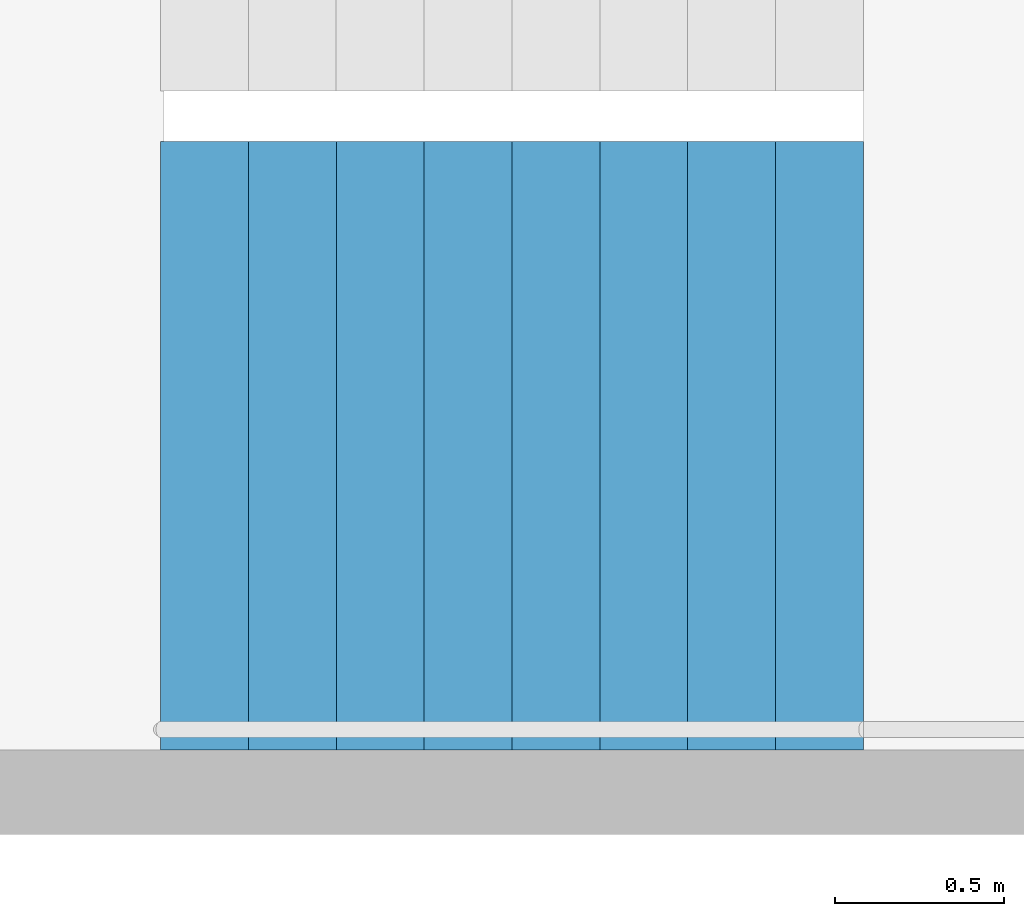
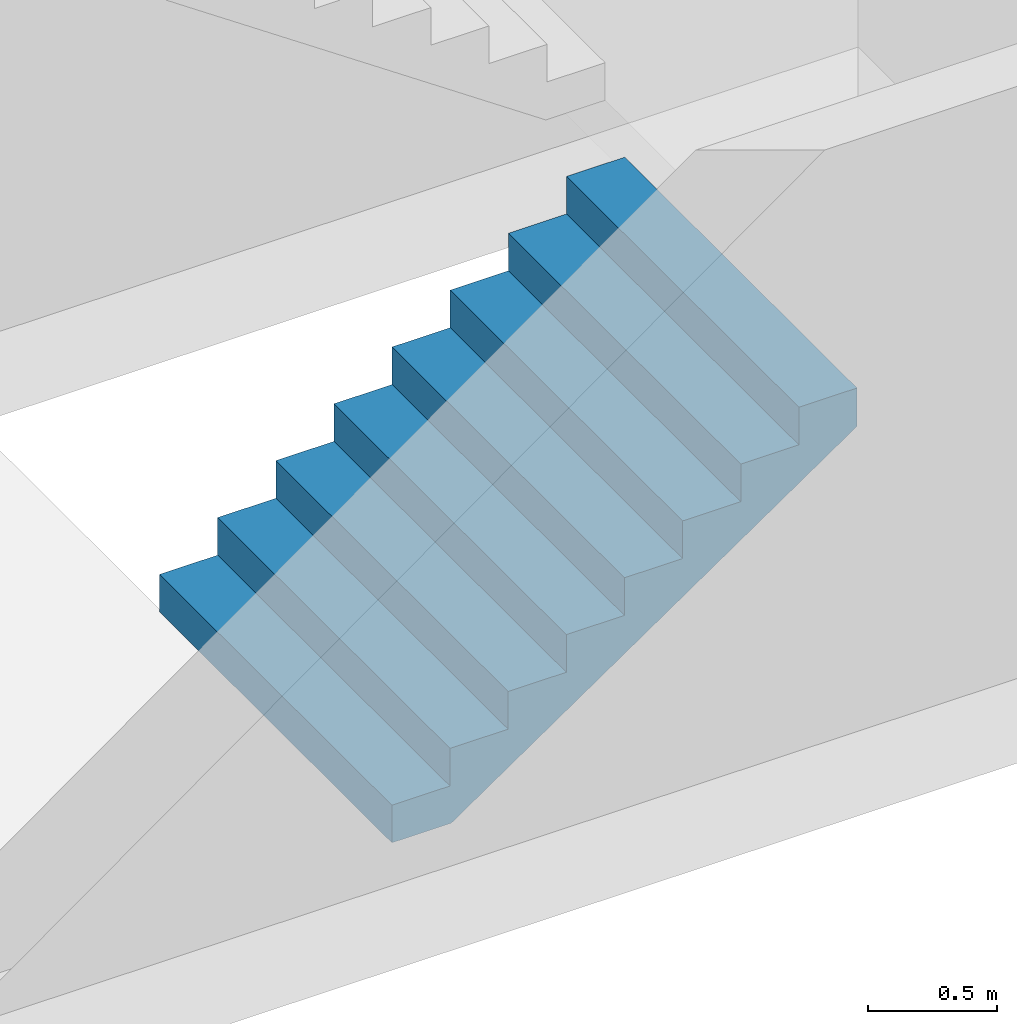
# One storey, part 22 of 28: 1 stair flight, 1 element without a shape of its own.
"""IFC4 building model written with IfcOpenShell, lengths in metres."""

from ifc_helpers import new_model, si_unit, direction, frame, origin, place, context, subcontext, project, spatial, triangles, material, type_object, element, aggregate, save


model = new_model("IFC4")

# Units and contexts
model_context = context("Model", 3, precision=1e-05, world=origin(), true_north=direction((0.0, 1.0)))
body_context = subcontext(model_context, "Body", "Model", "MODEL_VIEW")
ifc_project = project(units=[si_unit("LENGTHUNIT", "METRE"), si_unit("AREAUNIT", "SQUARE_METRE"), si_unit("VOLUMEUNIT", "CUBIC_METRE"), si_unit("PLANEANGLEUNIT", "RADIAN"), si_unit("MASSUNIT", "GRAM", prefix="KILO")], contexts=[model_context])

# Site, building, storey
site_placement = place(None, origin())
site = spatial("IfcSite", under=ifc_project, at=site_placement, CompositionType="ELEMENT")
building_placement = place(site_placement, origin())
building = spatial("IfcBuilding", under=site, at=building_placement, Name="Hakoniwa Tower and Hamabe Station Hall", CompositionType="ELEMENT")
storey_placement = place(building_placement, frame((0.0, 0.0, 32.60009765625)))
storey = spatial("IfcBuildingStorey", under=building, at=storey_placement, Name="L08", CompositionType="ELEMENT", Elevation=32.60009765625)

# Stair, stair flight
ifc_material_1 = material(Name="Concrete C40", Category="concrete")
stair_type = type_object("IfcStairType", Name="ESCAPE STAIR 1800", PredefinedType="HALF_TURN_STAIR", material=ifc_material_1)
stair_placement = place(storey_placement, origin())
stair = element("IfcStair", 1, at=stair_placement, inside=storey, type_object=stair_type, Name="Escape stair ST-1 L08", PredefinedType="HALF_TURN_STAIR")
ifc_material_2 = material(Name="Concrete C40", Category="concrete")
stair_flight_type = type_object("IfcStairFlightType", Name="STAIR FLIGHT 1800", PredefinedType="STRAIGHT", material=ifc_material_2)
stair_flight_placement = place(storey_placement, frame((-24.39990234375, 4.64990234375, 0.0), z_axis=(0.0, 0.0, 1.0), x_axis=(1.0, 0.0, 0.0)))
stair_flight = element("IfcStairFlight", 2, at=stair_flight_placement, type_object=stair_flight_type, Name="ST-1 flight 1", NumberOfRisers=9, NumberOfTreads=8, PredefinedType="STRAIGHT", RiserHeight=0.177777778, TreadLength=0.26, context=body_context, shape_type="Tessellation", body=[
    triangles([(0.0, 0.89990234375, 0.0), (0.260009765625, 0.89990234375, 0.0), (0.265625, 0.89990234375, 0.0), (0.52001953125, 0.89990234375, 0.174072265625), (0.780029296875, 0.89990234375, 0.351806640625), (1.0400390625, 0.89990234375, 0.529541015625), (1.300048828125, 0.89990234375, 0.707275390625), (1.56005859375, 0.89990234375, 0.885009765625), (1.820068359375, 0.89990234375, 1.062744140625), (2.080078125, 0.89990234375, 1.24072265625), (2.080078125, 0.89990234375, 1.422119140625), (1.820068359375, 0.89990234375, 1.422119140625), (1.820068359375, 0.89990234375, 1.244384765625), (1.56005859375, 0.89990234375, 1.244384765625), (1.56005859375, 0.89990234375, 1.066650390625), (1.300048828125, 0.89990234375, 1.066650390625), (1.300048828125, 0.89990234375, 0.888916015625), (1.0400390625, 0.89990234375, 0.888916015625), (1.0400390625, 0.89990234375, 0.711181640625), (0.780029296875, 0.89990234375, 0.711181640625), (0.780029296875, 0.89990234375, 0.533447265625), (0.52001953125, 0.89990234375, 0.533447265625), (0.52001953125, 0.89990234375, 0.35546875), (0.265625, 0.89990234375, 0.35546875), (0.260009765625, 0.89990234375, 0.35546875), (0.260009765625, 0.89990234375, 0.177734375), (0.0, 0.89990234375, 0.177734375), (0.0, 0.06005859375, 0.0), (0.260009765625, 0.06005859375, 0.0), (0.265625, 0.06005859375, 0.0), (0.52001953125, 0.06005859375, 0.174072265625), (0.780029296875, 0.06005859375, 0.351806640625), (1.0400390625, 0.06005859375, 0.529541015625), (1.300048828125, 0.06005859375, 0.707275390625), (1.56005859375, 0.06005859375, 0.885009765625), (1.820068359375, 0.06005859375, 1.062744140625), (2.080078125, 0.06005859375, 1.24072265625), (2.080078125, 0.06005859375, 1.422119140625), (1.820068359375, 0.06005859375, 1.422119140625), (1.820068359375, 0.06005859375, 1.244384765625), (1.56005859375, 0.06005859375, 1.244384765625), (1.56005859375, 0.06005859375, 1.066650390625), (1.300048828125, 0.06005859375, 1.066650390625), (1.300048828125, 0.06005859375, 0.888916015625), (1.0400390625, 0.06005859375, 0.888916015625), (1.0400390625, 0.06005859375, 0.711181640625), (0.780029296875, 0.06005859375, 0.711181640625), (0.780029296875, 0.06005859375, 0.533447265625), (0.52001953125, 0.06005859375, 0.533447265625), (0.52001953125, 0.06005859375, 0.35546875), (0.265625, 0.06005859375, 0.35546875), (0.260009765625, 0.06005859375, 0.35546875), (0.260009765625, 0.06005859375, 0.177734375), (0.0, 0.06005859375, 0.177734375), (0.0, 0.04296875, 0.0), (0.260009765625, 0.04296875, 0.0), (0.265625, 0.04296875, 0.0), (0.52001953125, 0.04296875, 0.174072265625), (0.780029296875, 0.04296875, 0.351806640625), (1.0400390625, 0.04296875, 0.529541015625), (1.300048828125, 0.04296875, 0.707275390625), (1.56005859375, 0.04296875, 0.885009765625), (1.820068359375, 0.04296875, 1.062744140625), (2.080078125, 0.04296875, 1.24072265625), (2.080078125, 0.04296875, 1.422119140625), (1.820068359375, 0.04296875, 1.422119140625), (1.820068359375, 0.04296875, 1.244384765625), (1.56005859375, 0.04296875, 1.244384765625), (1.56005859375, 0.04296875, 1.066650390625), (1.300048828125, 0.04296875, 1.066650390625), (1.300048828125, 0.04296875, 0.888916015625), (1.0400390625, 0.04296875, 0.888916015625), (1.0400390625, 0.04296875, 0.711181640625), (0.780029296875, 0.04296875, 0.711181640625), (0.780029296875, 0.04296875, 0.533447265625), (0.52001953125, 0.04296875, 0.533447265625), (0.52001953125, 0.04296875, 0.35546875), (0.265625, 0.04296875, 0.35546875), (0.260009765625, 0.04296875, 0.35546875), (0.260009765625, 0.04296875, 0.177734375), (0.0, 0.04296875, 0.177734375), (0.0, 0.025634765625, 0.0), (0.260009765625, 0.025634765625, 0.0), (0.265625, 0.025634765625, 0.0), (0.52001953125, 0.025634765625, 0.174072265625), (0.780029296875, 0.025634765625, 0.351806640625), (1.0400390625, 0.025634765625, 0.529541015625), (1.300048828125, 0.025634765625, 0.707275390625), (1.56005859375, 0.025634765625, 0.885009765625), (1.820068359375, 0.025634765625, 1.062744140625), (2.080078125, 0.025634765625, 1.24072265625), (2.080078125, 0.025634765625, 1.422119140625), (1.820068359375, 0.025634765625, 1.422119140625), (1.820068359375, 0.025634765625, 1.244384765625), (1.56005859375, 0.025634765625, 1.244384765625), (1.56005859375, 0.025634765625, 1.066650390625), (1.300048828125, 0.025634765625, 1.066650390625), (1.300048828125, 0.025634765625, 0.888916015625), (1.0400390625, 0.025634765625, 0.888916015625), (1.0400390625, 0.025634765625, 0.711181640625), (0.780029296875, 0.025634765625, 0.711181640625), (0.780029296875, 0.025634765625, 0.533447265625), (0.52001953125, 0.025634765625, 0.533447265625), (0.52001953125, 0.025634765625, 0.35546875), (0.265625, 0.025634765625, 0.35546875), (0.260009765625, 0.025634765625, 0.35546875), (0.260009765625, 0.025634765625, 0.177734375), (0.0, 0.025634765625, 0.177734375), (0.0, 0.008544921875, 0.0), (0.260009765625, 0.008544921875, 0.0), (0.265625, 0.008544921875, 0.0), (0.52001953125, 0.008544921875, 0.174072265625), (0.780029296875, 0.008544921875, 0.351806640625), (1.0400390625, 0.008544921875, 0.529541015625), (1.300048828125, 0.008544921875, 0.707275390625), (1.56005859375, 0.008544921875, 0.885009765625), (1.820068359375, 0.008544921875, 1.062744140625), (2.080078125, 0.008544921875, 1.24072265625), (2.080078125, 0.008544921875, 1.422119140625), (1.820068359375, 0.008544921875, 1.422119140625), (1.820068359375, 0.008544921875, 1.244384765625), (1.56005859375, 0.008544921875, 1.244384765625), (1.56005859375, 0.008544921875, 1.066650390625), (1.300048828125, 0.008544921875, 1.066650390625), (1.300048828125, 0.008544921875, 0.888916015625), (1.0400390625, 0.008544921875, 0.888916015625), (1.0400390625, 0.008544921875, 0.711181640625), (0.780029296875, 0.008544921875, 0.711181640625), (0.780029296875, 0.008544921875, 0.533447265625), (0.52001953125, 0.008544921875, 0.533447265625), (0.52001953125, 0.008544921875, 0.35546875), (0.265625, 0.008544921875, 0.35546875), (0.260009765625, 0.008544921875, 0.35546875), (0.260009765625, 0.008544921875, 0.177734375), (0.0, 0.008544921875, 0.177734375), (0.0, -0.008544921875, 0.0), (0.260009765625, -0.008544921875, 0.0), (0.265625, -0.008544921875, 0.0), (0.52001953125, -0.008544921875, 0.174072265625), (0.780029296875, -0.008544921875, 0.351806640625), (1.0400390625, -0.008544921875, 0.529541015625), (1.300048828125, -0.008544921875, 0.707275390625), (1.56005859375, -0.008544921875, 0.885009765625), (1.820068359375, -0.008544921875, 1.062744140625), (2.080078125, -0.008544921875, 1.24072265625), (2.080078125, -0.008544921875, 1.422119140625), (1.820068359375, -0.008544921875, 1.422119140625), (1.820068359375, -0.008544921875, 1.244384765625), (1.56005859375, -0.008544921875, 1.244384765625), (1.56005859375, -0.008544921875, 1.066650390625), (1.300048828125, -0.008544921875, 1.066650390625), (1.300048828125, -0.008544921875, 0.888916015625), (1.0400390625, -0.008544921875, 0.888916015625), (1.0400390625, -0.008544921875, 0.711181640625), (0.780029296875, -0.008544921875, 0.711181640625), (0.780029296875, -0.008544921875, 0.533447265625), (0.52001953125, -0.008544921875, 0.533447265625), (0.52001953125, -0.008544921875, 0.35546875), (0.265625, -0.008544921875, 0.35546875), (0.260009765625, -0.008544921875, 0.35546875), (0.260009765625, -0.008544921875, 0.177734375), (0.0, -0.008544921875, 0.177734375), (0.0, -0.025634765625, 0.0), (0.260009765625, -0.025634765625, 0.0), (0.265625, -0.025634765625, 0.0), (0.52001953125, -0.025634765625, 0.174072265625), (0.780029296875, -0.025634765625, 0.351806640625), (1.0400390625, -0.025634765625, 0.529541015625), (1.300048828125, -0.025634765625, 0.707275390625), (1.56005859375, -0.025634765625, 0.885009765625), (1.820068359375, -0.025634765625, 1.062744140625), (2.080078125, -0.025634765625, 1.24072265625), (2.080078125, -0.025634765625, 1.422119140625), (1.820068359375, -0.025634765625, 1.422119140625), (1.820068359375, -0.025634765625, 1.244384765625), (1.56005859375, -0.025634765625, 1.244384765625), (1.56005859375, -0.025634765625, 1.066650390625), (1.300048828125, -0.025634765625, 1.066650390625), (1.300048828125, -0.025634765625, 0.888916015625), (1.0400390625, -0.025634765625, 0.888916015625), (1.0400390625, -0.025634765625, 0.711181640625), (0.780029296875, -0.025634765625, 0.711181640625), (0.780029296875, -0.025634765625, 0.533447265625), (0.52001953125, -0.025634765625, 0.533447265625), (0.52001953125, -0.025634765625, 0.35546875), (0.265625, -0.025634765625, 0.35546875), (0.260009765625, -0.025634765625, 0.35546875), (0.260009765625, -0.025634765625, 0.177734375), (0.0, -0.025634765625, 0.177734375), (0.0, -0.04296875, 0.0), (0.260009765625, -0.04296875, 0.0), (0.265625, -0.04296875, 0.0), (0.52001953125, -0.04296875, 0.174072265625), (0.780029296875, -0.04296875, 0.351806640625), (1.0400390625, -0.04296875, 0.529541015625), (1.300048828125, -0.04296875, 0.707275390625), (1.56005859375, -0.04296875, 0.885009765625), (1.820068359375, -0.04296875, 1.062744140625), (2.080078125, -0.04296875, 1.24072265625), (2.080078125, -0.04296875, 1.422119140625), (1.820068359375, -0.04296875, 1.422119140625), (1.820068359375, -0.04296875, 1.244384765625), (1.56005859375, -0.04296875, 1.244384765625), (1.56005859375, -0.04296875, 1.066650390625), (1.300048828125, -0.04296875, 1.066650390625), (1.300048828125, -0.04296875, 0.888916015625), (1.0400390625, -0.04296875, 0.888916015625), (1.0400390625, -0.04296875, 0.711181640625), (0.780029296875, -0.04296875, 0.711181640625), (0.780029296875, -0.04296875, 0.533447265625), (0.52001953125, -0.04296875, 0.533447265625), (0.52001953125, -0.04296875, 0.35546875), (0.265625, -0.04296875, 0.35546875), (0.260009765625, -0.04296875, 0.35546875), (0.260009765625, -0.04296875, 0.177734375), (0.0, -0.04296875, 0.177734375), (0.0, -0.06005859375, 0.0), (0.260009765625, -0.06005859375, 0.0), (0.265625, -0.06005859375, 0.0), (0.52001953125, -0.06005859375, 0.174072265625), (0.780029296875, -0.06005859375, 0.351806640625), (1.0400390625, -0.06005859375, 0.529541015625), (1.300048828125, -0.06005859375, 0.707275390625), (1.56005859375, -0.06005859375, 0.885009765625), (1.820068359375, -0.06005859375, 1.062744140625), (2.080078125, -0.06005859375, 1.24072265625), (2.080078125, -0.06005859375, 1.422119140625), (1.820068359375, -0.06005859375, 1.422119140625), (1.820068359375, -0.06005859375, 1.244384765625), (1.56005859375, -0.06005859375, 1.244384765625), (1.56005859375, -0.06005859375, 1.066650390625), (1.300048828125, -0.06005859375, 1.066650390625), (1.300048828125, -0.06005859375, 0.888916015625), (1.0400390625, -0.06005859375, 0.888916015625), (1.0400390625, -0.06005859375, 0.711181640625), (0.780029296875, -0.06005859375, 0.711181640625), (0.780029296875, -0.06005859375, 0.533447265625), (0.52001953125, -0.06005859375, 0.533447265625), (0.52001953125, -0.06005859375, 0.35546875), (0.265625, -0.06005859375, 0.35546875), (0.260009765625, -0.06005859375, 0.35546875), (0.260009765625, -0.06005859375, 0.177734375), (0.0, -0.06005859375, 0.177734375), (0.0, -0.89990234375, 0.0), (0.260009765625, -0.89990234375, 0.0), (0.265625, -0.89990234375, 0.0), (0.52001953125, -0.89990234375, 0.174072265625), (0.780029296875, -0.89990234375, 0.351806640625), (1.0400390625, -0.89990234375, 0.529541015625), (1.300048828125, -0.89990234375, 0.707275390625), (1.56005859375, -0.89990234375, 0.885009765625), (1.820068359375, -0.89990234375, 1.062744140625), (2.080078125, -0.89990234375, 1.24072265625), (2.080078125, -0.89990234375, 1.422119140625), (1.820068359375, -0.89990234375, 1.422119140625), (1.820068359375, -0.89990234375, 1.244384765625), (1.56005859375, -0.89990234375, 1.244384765625), (1.56005859375, -0.89990234375, 1.066650390625), (1.300048828125, -0.89990234375, 1.066650390625), (1.300048828125, -0.89990234375, 0.888916015625), (1.0400390625, -0.89990234375, 0.888916015625), (1.0400390625, -0.89990234375, 0.711181640625), (0.780029296875, -0.89990234375, 0.711181640625), (0.780029296875, -0.89990234375, 0.533447265625), (0.52001953125, -0.89990234375, 0.533447265625), (0.52001953125, -0.89990234375, 0.35546875), (0.265625, -0.89990234375, 0.35546875), (0.260009765625, -0.89990234375, 0.35546875), (0.260009765625, -0.89990234375, 0.177734375), (0.0, -0.89990234375, 0.177734375)], [[2, 27, 26], [245, 269, 270], [2, 1, 27], [245, 270, 244], [3, 25, 24], [246, 267, 268], [3, 26, 25], [246, 268, 269], [3, 2, 26], [246, 269, 245], [4, 24, 23], [247, 266, 267], [4, 3, 24], [247, 267, 246], [5, 22, 21], [248, 264, 265], [5, 23, 22], [248, 265, 266], [5, 4, 23], [248, 266, 247], [6, 20, 19], [249, 262, 263], [6, 21, 20], [249, 263, 264], [6, 5, 21], [249, 264, 248], [7, 18, 17], [250, 260, 261], [7, 19, 18], [250, 261, 262], [7, 6, 19], [250, 262, 249], [8, 16, 15], [251, 258, 259], [8, 17, 16], [251, 259, 260], [8, 7, 17], [251, 260, 250], [9, 14, 13], [252, 256, 257], [9, 15, 14], [252, 257, 258], [9, 8, 15], [252, 258, 251], [10, 12, 11], [253, 254, 255], [10, 13, 12], [253, 255, 256], [10, 9, 13], [253, 256, 252], [1, 2, 29], [1, 29, 28], [28, 29, 56], [28, 56, 55], [55, 56, 83], [55, 83, 82], [82, 83, 110], [82, 110, 109], [109, 110, 137], [109, 137, 136], [136, 137, 164], [136, 164, 163], [163, 164, 191], [163, 191, 190], [190, 191, 218], [190, 218, 217], [217, 218, 245], [217, 245, 244], [2, 3, 30], [2, 30, 29], [29, 30, 57], [29, 57, 56], [56, 57, 84], [56, 84, 83], [83, 84, 111], [83, 111, 110], [110, 111, 138], [110, 138, 137], [137, 138, 165], [137, 165, 164], [164, 165, 192], [164, 192, 191], [191, 192, 219], [191, 219, 218], [218, 219, 246], [218, 246, 245], [3, 4, 31], [3, 31, 30], [30, 31, 58], [30, 58, 57], [57, 58, 85], [57, 85, 84], [84, 85, 112], [84, 112, 111], [111, 112, 139], [111, 139, 138], [138, 139, 166], [138, 166, 165], [165, 166, 193], [165, 193, 192], [192, 193, 220], [192, 220, 219], [219, 220, 247], [219, 247, 246], [4, 5, 32], [4, 32, 31], [31, 32, 59], [31, 59, 58], [58, 59, 86], [58, 86, 85], [85, 86, 113], [85, 113, 112], [112, 113, 140], [112, 140, 139], [139, 140, 167], [139, 167, 166], [166, 167, 194], [166, 194, 193], [193, 194, 221], [193, 221, 220], [220, 221, 248], [220, 248, 247], [5, 6, 33], [5, 33, 32], [32, 33, 60], [32, 60, 59], [59, 60, 87], [59, 87, 86], [86, 87, 114], [86, 114, 113], [113, 114, 141], [113, 141, 140], [140, 141, 168], [140, 168, 167], [167, 168, 195], [167, 195, 194], [194, 195, 222], [194, 222, 221], [221, 222, 249], [221, 249, 248], [6, 7, 34], [6, 34, 33], [33, 34, 61], [33, 61, 60], [60, 61, 88], [60, 88, 87], [87, 88, 115], [87, 115, 114], [114, 115, 142], [114, 142, 141], [141, 142, 169], [141, 169, 168], [168, 169, 196], [168, 196, 195], [195, 196, 223], [195, 223, 222], [222, 223, 250], [222, 250, 249], [7, 8, 35], [7, 35, 34], [34, 35, 62], [34, 62, 61], [61, 62, 89], [61, 89, 88], [88, 89, 116], [88, 116, 115], [115, 116, 143], [115, 143, 142], [142, 143, 170], [142, 170, 169], [169, 170, 197], [169, 197, 196], [196, 197, 224], [196, 224, 223], [223, 224, 251], [223, 251, 250], [8, 9, 36], [8, 36, 35], [35, 36, 63], [35, 63, 62], [62, 63, 90], [62, 90, 89], [89, 90, 117], [89, 117, 116], [116, 117, 144], [116, 144, 143], [143, 144, 171], [143, 171, 170], [170, 171, 198], [170, 198, 197], [197, 198, 225], [197, 225, 224], [224, 225, 252], [224, 252, 251], [9, 10, 37], [9, 37, 36], [36, 37, 64], [36, 64, 63], [63, 64, 91], [63, 91, 90], [90, 91, 118], [90, 118, 117], [117, 118, 145], [117, 145, 144], [144, 145, 172], [144, 172, 171], [171, 172, 199], [171, 199, 198], [198, 199, 226], [198, 226, 225], [225, 226, 253], [225, 253, 252], [10, 11, 38], [10, 38, 37], [37, 38, 65], [37, 65, 64], [64, 65, 92], [64, 92, 91], [91, 92, 119], [91, 119, 118], [118, 119, 146], [118, 146, 145], [145, 146, 173], [145, 173, 172], [172, 173, 200], [172, 200, 199], [199, 200, 227], [199, 227, 226], [226, 227, 254], [226, 254, 253], [11, 12, 39], [11, 39, 38], [38, 39, 66], [38, 66, 65], [65, 66, 93], [65, 93, 92], [92, 93, 120], [92, 120, 119], [119, 120, 147], [119, 147, 146], [146, 147, 174], [146, 174, 173], [173, 174, 201], [173, 201, 200], [200, 201, 228], [200, 228, 227], [227, 228, 255], [227, 255, 254], [12, 13, 40], [12, 40, 39], [39, 40, 67], [39, 67, 66], [66, 67, 94], [66, 94, 93], [93, 94, 121], [93, 121, 120], [120, 121, 148], [120, 148, 147], [147, 148, 175], [147, 175, 174], [174, 175, 202], [174, 202, 201], [201, 202, 229], [201, 229, 228], [228, 229, 256], [228, 256, 255], [13, 14, 41], [13, 41, 40], [40, 41, 68], [40, 68, 67], [67, 68, 95], [67, 95, 94], [94, 95, 122], [94, 122, 121], [121, 122, 149], [121, 149, 148], [148, 149, 176], [148, 176, 175], [175, 176, 203], [175, 203, 202], [202, 203, 230], [202, 230, 229], [229, 230, 257], [229, 257, 256], [14, 15, 42], [14, 42, 41], [41, 42, 69], [41, 69, 68], [68, 69, 96], [68, 96, 95], [95, 96, 123], [95, 123, 122], [122, 123, 150], [122, 150, 149], [149, 150, 177], [149, 177, 176], [176, 177, 204], [176, 204, 203], [203, 204, 231], [203, 231, 230], [230, 231, 258], [230, 258, 257], [15, 16, 43], [15, 43, 42], [42, 43, 70], [42, 70, 69], [69, 70, 97], [69, 97, 96], [96, 97, 124], [96, 124, 123], [123, 124, 151], [123, 151, 150], [150, 151, 178], [150, 178, 177], [177, 178, 205], [177, 205, 204], [204, 205, 232], [204, 232, 231], [231, 232, 259], [231, 259, 258], [16, 17, 44], [16, 44, 43], [43, 44, 71], [43, 71, 70], [70, 71, 98], [70, 98, 97], [97, 98, 125], [97, 125, 124], [124, 125, 152], [124, 152, 151], [151, 152, 179], [151, 179, 178], [178, 179, 206], [178, 206, 205], [205, 206, 233], [205, 233, 232], [232, 233, 260], [232, 260, 259], [17, 18, 45], [17, 45, 44], [44, 45, 72], [44, 72, 71], [71, 72, 99], [71, 99, 98], [98, 99, 126], [98, 126, 125], [125, 126, 153], [125, 153, 152], [152, 153, 180], [152, 180, 179], [179, 180, 207], [179, 207, 206], [206, 207, 234], [206, 234, 233], [233, 234, 261], [233, 261, 260], [18, 19, 46], [18, 46, 45], [45, 46, 73], [45, 73, 72], [72, 73, 100], [72, 100, 99], [99, 100, 127], [99, 127, 126], [126, 127, 154], [126, 154, 153], [153, 154, 181], [153, 181, 180], [180, 181, 208], [180, 208, 207], [207, 208, 235], [207, 235, 234], [234, 235, 262], [234, 262, 261], [19, 20, 47], [19, 47, 46], [46, 47, 74], [46, 74, 73], [73, 74, 101], [73, 101, 100], [100, 101, 128], [100, 128, 127], [127, 128, 155], [127, 155, 154], [154, 155, 182], [154, 182, 181], [181, 182, 209], [181, 209, 208], [208, 209, 236], [208, 236, 235], [235, 236, 263], [235, 263, 262], [20, 21, 48], [20, 48, 47], [47, 48, 75], [47, 75, 74], [74, 75, 102], [74, 102, 101], [101, 102, 129], [101, 129, 128], [128, 129, 156], [128, 156, 155], [155, 156, 183], [155, 183, 182], [182, 183, 210], [182, 210, 209], [209, 210, 237], [209, 237, 236], [236, 237, 264], [236, 264, 263], [21, 22, 49], [21, 49, 48], [48, 49, 76], [48, 76, 75], [75, 76, 103], [75, 103, 102], [102, 103, 130], [102, 130, 129], [129, 130, 157], [129, 157, 156], [156, 157, 184], [156, 184, 183], [183, 184, 211], [183, 211, 210], [210, 211, 238], [210, 238, 237], [237, 238, 265], [237, 265, 264], [22, 23, 50], [22, 50, 49], [49, 50, 77], [49, 77, 76], [76, 77, 104], [76, 104, 103], [103, 104, 131], [103, 131, 130], [130, 131, 158], [130, 158, 157], [157, 158, 185], [157, 185, 184], [184, 185, 212], [184, 212, 211], [211, 212, 239], [211, 239, 238], [238, 239, 266], [238, 266, 265], [23, 24, 51], [23, 51, 50], [50, 51, 78], [50, 78, 77], [77, 78, 105], [77, 105, 104], [104, 105, 132], [104, 132, 131], [131, 132, 159], [131, 159, 158], [158, 159, 186], [158, 186, 185], [185, 186, 213], [185, 213, 212], [212, 213, 240], [212, 240, 239], [239, 240, 267], [239, 267, 266], [24, 25, 52], [24, 52, 51], [51, 52, 79], [51, 79, 78], [78, 79, 106], [78, 106, 105], [105, 106, 133], [105, 133, 132], [132, 133, 160], [132, 160, 159], [159, 160, 187], [159, 187, 186], [186, 187, 214], [186, 214, 213], [213, 214, 241], [213, 241, 240], [240, 241, 268], [240, 268, 267], [25, 26, 53], [25, 53, 52], [52, 53, 80], [52, 80, 79], [79, 80, 107], [79, 107, 106], [106, 107, 134], [106, 134, 133], [133, 134, 161], [133, 161, 160], [160, 161, 188], [160, 188, 187], [187, 188, 215], [187, 215, 214], [214, 215, 242], [214, 242, 241], [241, 242, 269], [241, 269, 268], [26, 27, 54], [26, 54, 53], [53, 54, 81], [53, 81, 80], [80, 81, 108], [80, 108, 107], [107, 108, 135], [107, 135, 134], [134, 135, 162], [134, 162, 161], [161, 162, 189], [161, 189, 188], [188, 189, 216], [188, 216, 215], [215, 216, 243], [215, 243, 242], [242, 243, 270], [242, 270, 269], [27, 1, 28], [27, 28, 54], [54, 28, 55], [54, 55, 81], [81, 55, 82], [81, 82, 108], [108, 82, 109], [108, 109, 135], [135, 109, 136], [135, 136, 162], [162, 136, 163], [162, 163, 189], [189, 163, 190], [189, 190, 216], [216, 190, 217], [216, 217, 243], [243, 217, 244], [243, 244, 270]], closed=True),
])
aggregate(stair, [stair_flight])

save(model, "model.ifc")
